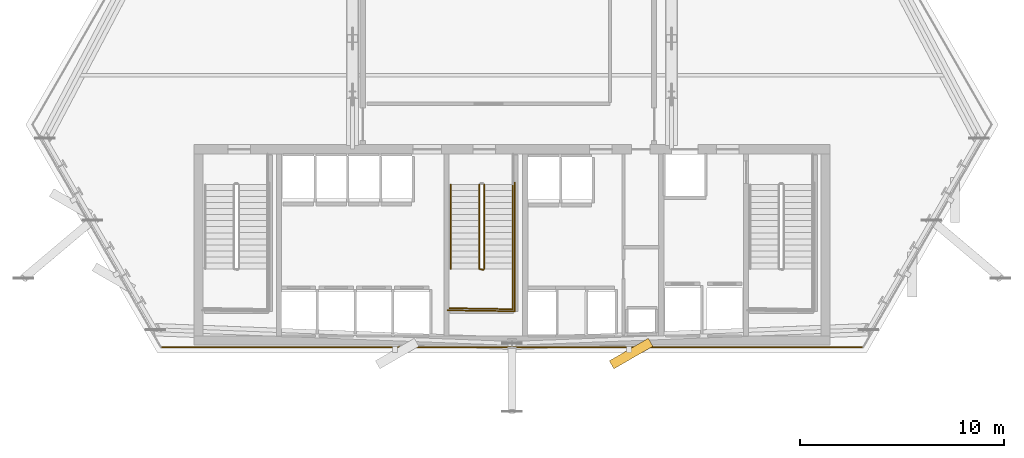
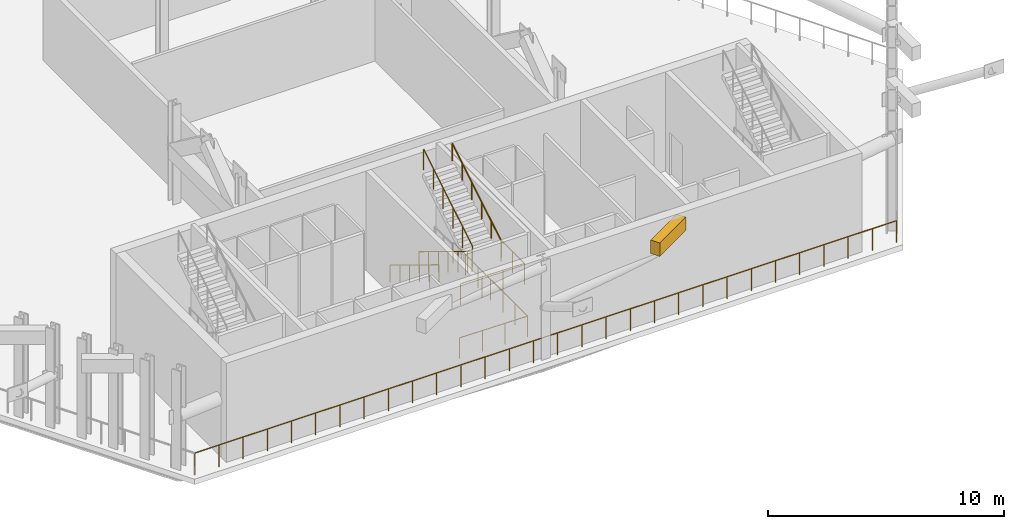
# One storey, part 7 of 11: 7 railings, 1 shading device.
"""IFC4 building model written with IfcOpenShell, lengths in metres."""

from ifc_helpers import new_model, si_unit, direction, frame, origin, origin_2d, place, context, subcontext, project, spatial, rectangle, circle, extrude, material, layer, layer_set, type_object, element, save


model = new_model("IFC4")

# Units and contexts
model_context = context("Model", 3, precision=1e-05, world=origin(), true_north=direction((0.0, 1.0)))
body_context = subcontext(model_context, "Body", "Model", "MODEL_VIEW")
ifc_project = project(units=[si_unit("LENGTHUNIT", "METRE"), si_unit("AREAUNIT", "SQUARE_METRE"), si_unit("VOLUMEUNIT", "CUBIC_METRE"), si_unit("PLANEANGLEUNIT", "RADIAN"), si_unit("MASSUNIT", "GRAM", prefix="KILO")], contexts=[model_context])

# Site, building, storey
site_placement = place(None, origin())
site = spatial("IfcSite", under=ifc_project, at=site_placement, CompositionType="ELEMENT")
building_placement = place(site_placement, origin())
building = spatial("IfcBuilding", under=site, at=building_placement, Name="Ndaravel Arena Tower", CompositionType="ELEMENT")
storey_placement = place(building_placement, frame((0.0, 0.0, 112.0)))
storey = spatial("IfcBuildingStorey", under=building, at=storey_placement, Name="L26", CompositionType="ELEMENT", Elevation=112.0)

# Railings
ifc_material_1 = material(Name="Steel S355", Category="steel")
ifc_layer_1 = layer(ifc_material_1, 0.06005859375)
ifc_layer_set_1 = layer_set([ifc_layer_1], Name="Steel S355")
railing_type_1 = type_object("IfcRailingType", Name="RAIL-STAIR-GD1100", PredefinedType="GUARDRAIL", material=ifc_layer_set_1)
railing_1_placement = place(storey_placement, frame((40.39990234375, 13.25, 0.179931640625)))
element("IfcRailing", 1, at=railing_1_placement, inside=storey, type_object=railing_type_1, Name="L26 ST-2 stair guard 1", PredefinedType="GUARDRAIL", context=body_context, shape_type="SweptSolid", body=[
    extrude(circle(Radius=0.02392578125, at=origin_2d()), frame((0.0, 0.0, 1.076171875), z_axis=(0.0, -0.853630913754, 0.520878357281), x_axis=(1.0, 0.0, 0.0)), (0.0, 0.0, 1.0), 4.838134765625),
    extrude(circle(Radius=0.02392578125, at=origin_2d()), frame((0.0, -4.1298828125, 3.59619140625), z_axis=(0.967074537263, -0.25449329928, 0.0), x_axis=(0.25449329928, 0.967074537263, 0.0)), (0.0, 0.0, 1.0), 0.19677734375),
    extrude(circle(Radius=0.02099609375, at=origin_2d()), origin(), (0.0, 0.0, 1.0), 1.052001953125),
    extrude(circle(Radius=0.02099609375, at=origin_2d()), frame((0.0, -0.825927734375, 0.50390625)), (0.0, 0.0, 1.0), 1.052001953125),
    extrude(circle(Radius=0.02099609375, at=origin_2d()), frame((0.0, -1.65185546875, 1.008056640625)), (0.0, 0.0, 1.0), 1.052001953125),
    extrude(circle(Radius=0.02099609375, at=origin_2d()), frame((0.0, -2.47802734375, 1.511962890625)), (0.0, 0.0, 1.0), 1.052001953125),
    extrude(circle(Radius=0.02099609375, at=origin_2d()), frame((0.0, -3.303955078125, 2.01611328125)), (0.0, 0.0, 1.0), 1.052001953125),
    extrude(circle(Radius=0.02099609375, at=origin_2d()), frame((0.0, -4.1298828125, 2.52001953125)), (0.0, 0.0, 1.0), 1.052001953125),
    extrude(circle(Radius=0.02099609375, at=origin_2d()), frame((0.190185546875, -4.179931640625, 2.52001953125)), (0.0, 0.0, 1.0), 1.052001953125),
])
railing_2_placement = place(storey_placement, frame((42.0400390625, 9.1201171875, 2.699951171875)))
element("IfcRailing", 2, at=railing_2_placement, inside=storey, type_object=railing_type_1, Name="L26 ST-2 stair guard 2", PredefinedType="GUARDRAIL", context=body_context, shape_type="SweptSolid", body=[
    extrude(circle(Radius=0.02392578125, at=origin_2d()), frame((0.0, 0.0, 1.076171875), z_axis=(0.0, -1.0, 0.0), x_axis=(1.0, 0.0, 0.0)), (0.0, 0.0, 1.0), 1.97021484375),
    extrude(circle(Radius=0.02392578125, at=origin_2d()), frame((0.0, -1.97021484375, 1.076171875), z_axis=(-0.999868861343, 0.016194447071, 0.0), x_axis=(-0.016194447071, -0.999868861343, 0.0)), (0.0, 0.0, 1.0), 3.090576171875),
    extrude(circle(Radius=0.02099609375, at=origin_2d()), origin(), (0.0, 0.0, 1.0), 1.052001953125),
    extrude(circle(Radius=0.02099609375, at=origin_2d()), frame((0.0, -0.985107421875, 0.0)), (0.0, 0.0, 1.0), 1.052001953125),
    extrude(circle(Radius=0.02099609375, at=origin_2d()), frame((0.0, -1.97021484375, 0.0)), (0.0, 0.0, 1.0), 1.052001953125),
    extrude(circle(Radius=0.02099609375, at=origin_2d()), frame((-1.030029296875, -1.95361328125, 0.0)), (0.0, 0.0, 1.0), 1.052001953125),
    extrude(circle(Radius=0.02099609375, at=origin_2d()), frame((-2.06005859375, -1.936767578125, 0.0)), (0.0, 0.0, 1.0), 1.052001953125),
    extrude(circle(Radius=0.02099609375, at=origin_2d()), frame((-3.090087890625, -1.920166015625, 0.0)), (0.0, 0.0, 1.0), 1.052001953125),
])
railing_3_placement = place(storey_placement, frame((40.639892578125, 9.1201171875, 2.8798828125)))
element("IfcRailing", 3, at=railing_3_placement, inside=storey, type_object=railing_type_1, Name="L26 ST-2 stair guard 3", PredefinedType="GUARDRAIL", context=body_context, shape_type="SweptSolid", body=[
    extrude(circle(Radius=0.02392578125, at=origin_2d()), frame((0.0, 0.0, 1.076171875), z_axis=(0.0, 0.853630913754, 0.520878357281), x_axis=(-1.0, 0.0, 0.0)), (0.0, 0.0, 1.0), 4.838134765625),
    extrude(circle(Radius=0.02099609375, at=origin_2d()), origin(), (0.0, 0.0, 1.0), 1.052001953125),
    extrude(circle(Radius=0.02099609375, at=origin_2d()), frame((0.0, 0.825927734375, 0.50390625)), (0.0, 0.0, 1.0), 1.052001953125),
    extrude(circle(Radius=0.02099609375, at=origin_2d()), frame((0.0, 1.65185546875, 1.008056640625)), (0.0, 0.0, 1.0), 1.052001953125),
    extrude(circle(Radius=0.02099609375, at=origin_2d()), frame((0.0, 2.47802734375, 1.511962890625)), (0.0, 0.0, 1.0), 1.052001953125),
    extrude(circle(Radius=0.02099609375, at=origin_2d()), frame((0.0, 3.303955078125, 2.01611328125)), (0.0, 0.0, 1.0), 1.052001953125),
    extrude(circle(Radius=0.02099609375, at=origin_2d()), frame((0.0, 4.1298828125, 2.52001953125)), (0.0, 0.0, 1.0), 1.052001953125),
])
railing_4_placement = place(storey_placement, frame((42.139892578125, 13.35009765625, 0.0)))
element("IfcRailing", 4, at=railing_4_placement, inside=storey, type_object=railing_type_1, Name="L26 ST-2 stair guard 6", PredefinedType="GUARDRAIL", context=body_context, shape_type="SweptSolid", body=[
    extrude(circle(Radius=0.02392578125, at=origin_2d()), frame((0.0, 0.0, 1.076171875), z_axis=(0.0, -1.0, 0.0), x_axis=(1.0, 0.0, 0.0)), (0.0, 0.0, 1.0), 6.300048828125),
    extrude(circle(Radius=0.02392578125, at=origin_2d()), frame((0.0, -6.300048828125, 1.076171875), z_axis=(-0.999884296952, 0.015211597839, 0.0), x_axis=(-0.015211597839, -0.999884296952, 0.0)), (0.0, 0.0, 1.0), 3.290283203125),
    extrude(circle(Radius=0.02099609375, at=origin_2d()), origin(), (0.0, 0.0, 1.0), 1.052001953125),
    extrude(circle(Radius=0.02099609375, at=origin_2d()), frame((0.0, -1.050048828125, 0.0)), (0.0, 0.0, 1.0), 1.052001953125),
    extrude(circle(Radius=0.02099609375, at=origin_2d()), frame((0.0, -2.10009765625, 0.0)), (0.0, 0.0, 1.0), 1.052001953125),
    extrude(circle(Radius=0.02099609375, at=origin_2d()), frame((0.0, -3.14990234375, 0.0)), (0.0, 0.0, 1.0), 1.052001953125),
    extrude(circle(Radius=0.02099609375, at=origin_2d()), frame((0.0, -4.199951171875, 0.0)), (0.0, 0.0, 1.0), 1.052001953125),
    extrude(circle(Radius=0.02099609375, at=origin_2d()), frame((0.0, -5.25, 0.0)), (0.0, 0.0, 1.0), 1.052001953125),
    extrude(circle(Radius=0.02099609375, at=origin_2d()), frame((0.0, -6.300048828125, 0.0)), (0.0, 0.0, 1.0), 1.052001953125),
    extrude(circle(Radius=0.02099609375, at=origin_2d()), frame((-1.0966796875, -6.283447265625, 0.0)), (0.0, 0.0, 1.0), 1.052001953125),
    extrude(circle(Radius=0.02099609375, at=origin_2d()), frame((-2.193115234375, -6.2666015625, 0.0)), (0.0, 0.0, 1.0), 1.052001953125),
    extrude(circle(Radius=0.02099609375, at=origin_2d()), frame((-3.289794921875, -6.25, 0.0)), (0.0, 0.0, 1.0), 1.052001953125),
])
ifc_material_2 = material(Name="Steel S355", Category="steel")
ifc_layer_2 = layer(ifc_material_2, 0.050048828125)
ifc_layer_set_2 = layer_set([ifc_layer_2], Name="Steel S355")
railing_type_2 = type_object("IfcRailingType", Name="RAIL-STAIR-HR920", PredefinedType="HANDRAIL", material=ifc_layer_set_2)
railing_5_placement = place(storey_placement, frame((39.0, 13.25, 0.179931640625)))
element("IfcRailing", 5, at=railing_5_placement, inside=storey, type_object=railing_type_2, Name="L26 ST-2 stair handrail 1", PredefinedType="HANDRAIL", context=body_context, shape_type="SweptSolid", body=[
    extrude(circle(Radius=0.02392578125, at=origin_2d()), frame((0.0, 0.0, 0.8759765625), z_axis=(0.0, -0.853630913754, 0.520878357281), x_axis=(1.0, 0.0, 0.0)), (0.0, 0.0, 1.0), 4.838134765625),
    extrude(circle(Radius=0.02099609375, at=origin_2d()), origin(), (0.0, 0.0, 1.0), 0.851806640625),
    extrude(circle(Radius=0.02099609375, at=origin_2d()), frame((0.0, -0.825927734375, 0.50390625)), (0.0, 0.0, 1.0), 0.851806640625),
    extrude(circle(Radius=0.02099609375, at=origin_2d()), frame((0.0, -1.65185546875, 1.008056640625)), (0.0, 0.0, 1.0), 0.851806640625),
    extrude(circle(Radius=0.02099609375, at=origin_2d()), frame((0.0, -2.47802734375, 1.511962890625)), (0.0, 0.0, 1.0), 0.851806640625),
    extrude(circle(Radius=0.02099609375, at=origin_2d()), frame((0.0, -3.303955078125, 2.01611328125)), (0.0, 0.0, 1.0), 0.851806640625),
    extrude(circle(Radius=0.02099609375, at=origin_2d()), frame((0.0, -4.1298828125, 2.52001953125)), (0.0, 0.0, 1.0), 0.851806640625),
])
railing_6_placement = place(storey_placement, frame((42.0400390625, 9.1201171875, 2.8798828125)))
element("IfcRailing", 6, at=railing_6_placement, inside=storey, type_object=railing_type_2, Name="L26 ST-2 stair handrail 2", PredefinedType="HANDRAIL", context=body_context, shape_type="SweptSolid", body=[
    extrude(circle(Radius=0.02392578125, at=origin_2d()), frame((0.0, 0.0, 0.8759765625), z_axis=(0.0, 0.853630913754, 0.520878357281), x_axis=(-1.0, 0.0, 0.0)), (0.0, 0.0, 1.0), 4.838134765625),
    extrude(circle(Radius=0.02099609375, at=origin_2d()), origin(), (0.0, 0.0, 1.0), 0.851806640625),
    extrude(circle(Radius=0.02099609375, at=origin_2d()), frame((0.0, 0.825927734375, 0.50390625)), (0.0, 0.0, 1.0), 0.851806640625),
    extrude(circle(Radius=0.02099609375, at=origin_2d()), frame((0.0, 1.65185546875, 1.008056640625)), (0.0, 0.0, 1.0), 0.851806640625),
    extrude(circle(Radius=0.02099609375, at=origin_2d()), frame((0.0, 2.47802734375, 1.511962890625)), (0.0, 0.0, 1.0), 0.851806640625),
    extrude(circle(Radius=0.02099609375, at=origin_2d()), frame((0.0, 3.303955078125, 2.01611328125)), (0.0, 0.0, 1.0), 0.851806640625),
    extrude(circle(Radius=0.02099609375, at=origin_2d()), frame((0.0, 4.1298828125, 2.52001953125)), (0.0, 0.0, 1.0), 0.851806640625),
])
ifc_material_3 = material(Name="Glazing", Category="glass")
ifc_layer_3 = layer(ifc_material_3, 0.070068359375)
ifc_layer_set_3 = layer_set([ifc_layer_3], Name="Glazing")
railing_type_3 = type_object("IfcRailingType", Name="RAIL-TERRACE-1150", PredefinedType="BALUSTRADE", material=ifc_layer_set_3)
railing_7_placement = place(storey_placement, frame((24.834716796875, 5.280029296875, 0.0)))
element("IfcRailing", 7, at=railing_7_placement, inside=storey, type_object=railing_type_3, Name="L26 Open Wind Floor Perimeter Guard 1", PredefinedType="BALUSTRADE", context=body_context, shape_type="SweptSolid", body=[
    extrude(circle(Radius=0.02392578125, at=origin_2d()), frame((0.0, 0.0, 1.1259765625), z_axis=(1.0, 0.0, 0.0), x_axis=(0.0, 1.0, 0.0)), (0.0, 0.0, 1.0), 34.33056640625),
    extrude(circle(Radius=0.02099609375, at=origin_2d()), origin(), (0.0, 0.0, 1.0), 1.101806640625),
    extrude(circle(Radius=0.02099609375, at=origin_2d()), frame((1.183837890625, 0.0, 0.0)), (0.0, 0.0, 1.0), 1.101806640625),
    extrude(circle(Radius=0.02099609375, at=origin_2d()), frame((2.36767578125, 0.0, 0.0)), (0.0, 0.0, 1.0), 1.101806640625),
    extrude(circle(Radius=0.02099609375, at=origin_2d()), frame((3.551513671875, 0.0, 0.0)), (0.0, 0.0, 1.0), 1.101806640625),
    extrude(circle(Radius=0.02099609375, at=origin_2d()), frame((4.7353515625, 0.0, 0.0)), (0.0, 0.0, 1.0), 1.101806640625),
    extrude(circle(Radius=0.02099609375, at=origin_2d()), frame((5.9189453125, 0.0, 0.0)), (0.0, 0.0, 1.0), 1.101806640625),
    extrude(circle(Radius=0.02099609375, at=origin_2d()), frame((7.102783203125, 0.0, 0.0)), (0.0, 0.0, 1.0), 1.101806640625),
    extrude(circle(Radius=0.02099609375, at=origin_2d()), frame((8.28662109375, 0.0, 0.0)), (0.0, 0.0, 1.0), 1.101806640625),
    extrude(circle(Radius=0.02099609375, at=origin_2d()), frame((9.470458984375, 0.0, 0.0)), (0.0, 0.0, 1.0), 1.101806640625),
    extrude(circle(Radius=0.02099609375, at=origin_2d()), frame((10.654296875, 0.0, 0.0)), (0.0, 0.0, 1.0), 1.101806640625),
    extrude(circle(Radius=0.02099609375, at=origin_2d()), frame((11.838134765625, 0.0, 0.0)), (0.0, 0.0, 1.0), 1.101806640625),
    extrude(circle(Radius=0.02099609375, at=origin_2d()), frame((13.02197265625, 0.0, 0.0)), (0.0, 0.0, 1.0), 1.101806640625),
    extrude(circle(Radius=0.02099609375, at=origin_2d()), frame((14.205810546875, 0.0, 0.0)), (0.0, 0.0, 1.0), 1.101806640625),
    extrude(circle(Radius=0.02099609375, at=origin_2d()), frame((15.3896484375, 0.0, 0.0)), (0.0, 0.0, 1.0), 1.101806640625),
    extrude(circle(Radius=0.02099609375, at=origin_2d()), frame((16.573486328125, 0.0, 0.0)), (0.0, 0.0, 1.0), 1.101806640625),
    extrude(circle(Radius=0.02099609375, at=origin_2d()), frame((17.757080078125, 0.0, 0.0)), (0.0, 0.0, 1.0), 1.101806640625),
    extrude(circle(Radius=0.02099609375, at=origin_2d()), frame((18.94091796875, 0.0, 0.0)), (0.0, 0.0, 1.0), 1.101806640625),
    extrude(circle(Radius=0.02099609375, at=origin_2d()), frame((20.124755859375, 0.0, 0.0)), (0.0, 0.0, 1.0), 1.101806640625),
    extrude(circle(Radius=0.02099609375, at=origin_2d()), frame((21.30859375, 0.0, 0.0)), (0.0, 0.0, 1.0), 1.101806640625),
    extrude(circle(Radius=0.02099609375, at=origin_2d()), frame((22.492431640625, 0.0, 0.0)), (0.0, 0.0, 1.0), 1.101806640625),
    extrude(circle(Radius=0.02099609375, at=origin_2d()), frame((23.67626953125, 0.0, 0.0)), (0.0, 0.0, 1.0), 1.101806640625),
    extrude(circle(Radius=0.02099609375, at=origin_2d()), frame((24.860107421875, 0.0, 0.0)), (0.0, 0.0, 1.0), 1.101806640625),
    extrude(circle(Radius=0.02099609375, at=origin_2d()), frame((26.0439453125, 0.0, 0.0)), (0.0, 0.0, 1.0), 1.101806640625),
    extrude(circle(Radius=0.02099609375, at=origin_2d()), frame((27.227783203125, 0.0, 0.0)), (0.0, 0.0, 1.0), 1.101806640625),
    extrude(circle(Radius=0.02099609375, at=origin_2d()), frame((28.41162109375, 0.0, 0.0)), (0.0, 0.0, 1.0), 1.101806640625),
    extrude(circle(Radius=0.02099609375, at=origin_2d()), frame((29.59521484375, 0.0, 0.0)), (0.0, 0.0, 1.0), 1.101806640625),
    extrude(circle(Radius=0.02099609375, at=origin_2d()), frame((30.779052734375, 0.0, 0.0)), (0.0, 0.0, 1.0), 1.101806640625),
    extrude(circle(Radius=0.02099609375, at=origin_2d()), frame((31.962890625, 0.0, 0.0)), (0.0, 0.0, 1.0), 1.101806640625),
    extrude(circle(Radius=0.02099609375, at=origin_2d()), frame((33.146728515625, 0.0, 0.0)), (0.0, 0.0, 1.0), 1.101806640625),
    extrude(circle(Radius=0.02099609375, at=origin_2d()), frame((34.33056640625, 0.0, 0.0)), (0.0, 0.0, 1.0), 1.101806640625),
])

# Shading device
ifc_material_4 = material(Name="Aluminium", Category="aluminium")
shading_device_type = type_object("IfcShadingDeviceType", Name="SHD-WIND-LOUVRE", PredefinedType="JALOUSIE", material=ifc_material_4)
shading_device_placement = place(storey_placement, frame((47.8251953125, 4.980712890625, 4.169921875), z_axis=(0.0, 0.0, 1.0), x_axis=(0.5, -0.866025403784, 0.0)))
element("IfcShadingDevice", 8, at=shading_device_placement, inside=storey, type_object=shading_device_type, Name="L26 Wind-Floor Acoustic Louvre 1.2", PredefinedType="JALOUSIE", context=body_context, shape_type="SweptSolid", body=[
    extrude(rectangle(XDim=0.449951171875, YDim=2.199951171875, at=origin_2d()), origin(), (0.0, 0.0, 1.0), 0.699951171875),
])

save(model, "model.ifc")
